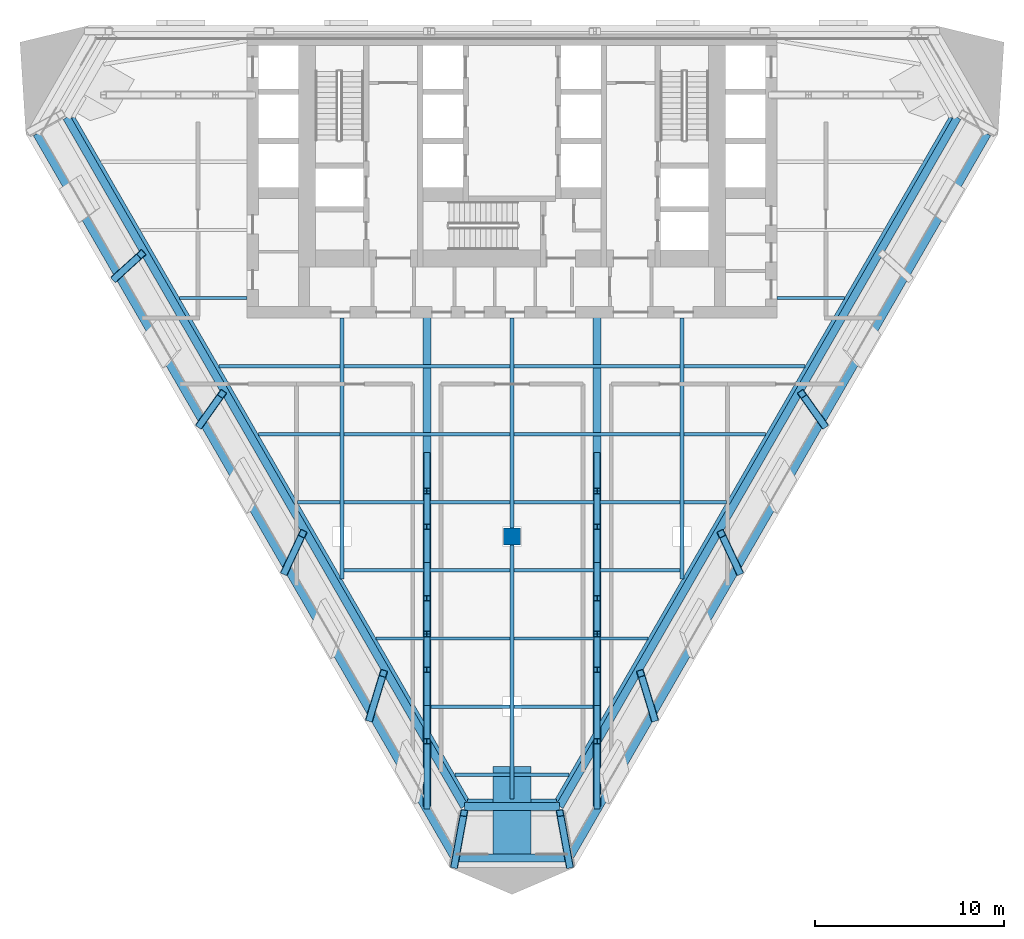
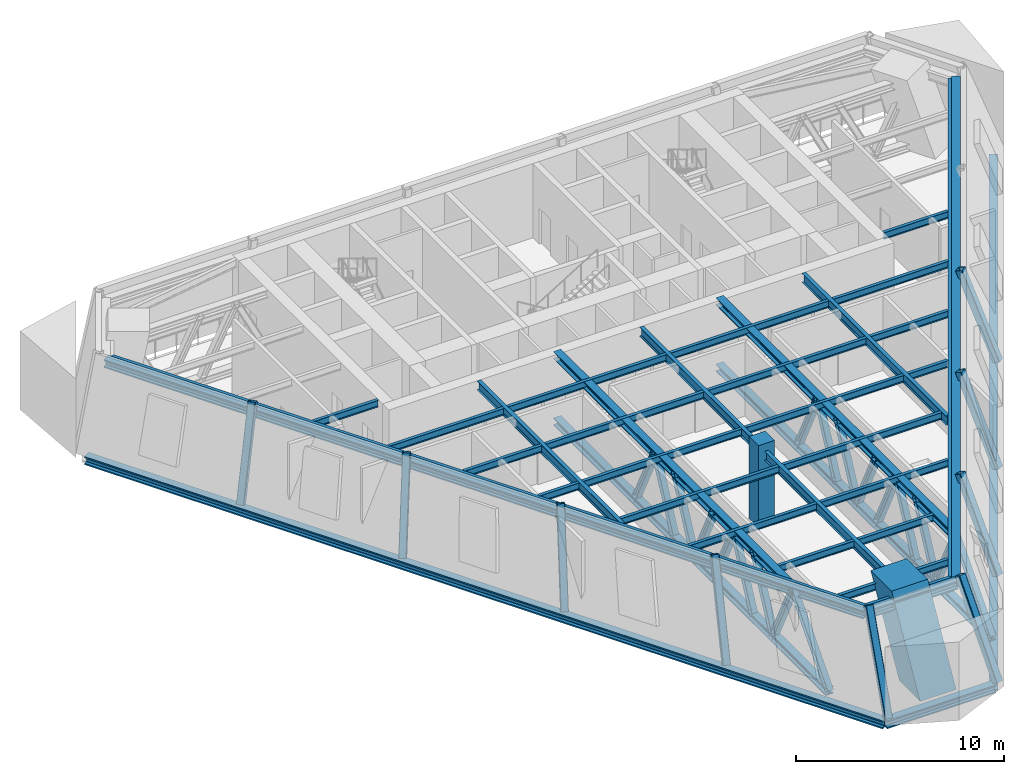
# One storey, part 1 of 9: 40 beams, 28 members, 1 column.
"""IFC4 building model written with IfcOpenShell, lengths in metres."""

from ifc_helpers import new_model, si_unit, direction, frame, origin, origin_2d, place, context, subcontext, project, spatial, rectangle, hollow_rectangle, i_section, extrude, material, material_profile, profile_set, type_object, element, save


model = new_model("IFC4")

# Units and contexts
model_context = context("Model", 3, precision=1e-05, world=origin(), true_north=direction((0.0, 1.0)))
body_context = subcontext(model_context, "Body", "Model", "MODEL_VIEW")
ifc_project = project(units=[si_unit("LENGTHUNIT", "METRE"), si_unit("AREAUNIT", "SQUARE_METRE"), si_unit("VOLUMEUNIT", "CUBIC_METRE"), si_unit("PLANEANGLEUNIT", "RADIAN"), si_unit("MASSUNIT", "GRAM", prefix="KILO")], contexts=[model_context])

# Site, building, storey
site_placement = place(None, origin())
site = spatial("IfcSite", under=ifc_project, at=site_placement, CompositionType="ELEMENT")
building_placement = place(site_placement, origin())
building = spatial("IfcBuilding", under=site, at=building_placement, Name="Aloe Facet Convention Tower", CompositionType="ELEMENT")
storey_placement = place(building_placement, frame((0.0, 0.0, 77.0)))
storey = spatial("IfcBuildingStorey", under=building, at=storey_placement, Name="L18", CompositionType="ELEMENT", Elevation=77.0)

# Column
ifc_material_1 = material(Name="Concrete C70/85", Category="concrete")
ifc_material_profile_1 = material_profile(ifc_material_1, rectangle(XDim=0.89990234375, YDim=0.89990234375, at=origin_2d()), Name="SF-GC-Z2")
ifc_profile_set_1 = profile_set([ifc_material_profile_1], Name="Concrete C70/85")
column_type = type_object("IfcColumnType", Name="SF-GC-Z2", PredefinedType="COLUMN", material=ifc_profile_set_1)
column_placement = place(storey_placement, frame((80.0, 108.0, 0.0), z_axis=(0.0, 0.0, 1.0), x_axis=(1.0, 0.0, 0.0)))
element("IfcColumn", 1, at=column_placement, inside=storey, type_object=column_type, Name="Gravity column GC-Z2-9D", PredefinedType="COLUMN", context=body_context, shape_type="SweptSolid", body=[
    extrude(rectangle(XDim=0.89990234375, YDim=0.89990234375, at=origin_2d()), origin(), (0.0, 0.0, 1.0), 4.800048828125),
])

# Beams
ifc_material_2 = material(Name="Steel S355", Category="steel")
ifc_material_profile_2 = material_profile(ifc_material_2, i_section(OverallWidth=0.177734375, OverallDepth=0.402587890625, WebThickness=0.0078125, FlangeThickness=0.010986328125, FilletRadius=0.01025390625, at=origin_2d()), Name="UB 406x178x54")
ifc_profile_set_2 = profile_set([ifc_material_profile_2], Name="Steel S355")
beam_type_1 = type_object("IfcBeamType", Name="SF-B-UB406x178x54", PredefinedType="BEAM", material=ifc_profile_set_2)
beam_1_placement = place(storey_placement, frame((62.429931640625, 120.60009765625, 4.148681640625), z_axis=(1.0, 0.0, 0.0), x_axis=(0.0, 1.0, 0.0)))
element("IfcBeam", 2, at=beam_1_placement, inside=storey, type_object=beam_type_1, Name="Floor beam FB-Z2A-015", PredefinedType="BEAM", context=body_context, shape_type="SweptSolid", body=[
    extrude(i_section(OverallWidth=0.177734375, OverallDepth=0.402587890625, WebThickness=0.0078125, FlangeThickness=0.010986328125, FilletRadius=0.01025390625, at=origin_2d()), origin(), (0.0, 0.0, 1.0), 3.570068359375),
])
beam_2_placement = place(storey_placement, frame((64.50830078125, 117.0, 4.148681640625), z_axis=(1.0, 0.0, 0.0), x_axis=(0.0, 1.0, 0.0)))
element("IfcBeam", 3, at=beam_2_placement, inside=storey, type_object=beam_type_1, Name="Floor beam FB-Z2A-016", PredefinedType="BEAM", context=body_context, shape_type="SweptSolid", body=[
    extrude(i_section(OverallWidth=0.177734375, OverallDepth=0.402587890625, WebThickness=0.0078125, FlangeThickness=0.010986328125, FilletRadius=0.01025390625, at=origin_2d()), origin(), (0.0, 0.0, 1.0), 6.38623046875),
])
beam_3_placement = place(storey_placement, frame((66.5869140625, 113.39990234375, 4.148681640625), z_axis=(1.0, 0.0, 0.0), x_axis=(0.0, 1.0, 0.0)))
element("IfcBeam", 4, at=beam_3_placement, inside=storey, type_object=beam_type_1, Name="Floor beam FB-Z2A-017", PredefinedType="BEAM", context=body_context, shape_type="SweptSolid", body=[
    extrude(i_section(OverallWidth=0.177734375, OverallDepth=0.402587890625, WebThickness=0.0078125, FlangeThickness=0.010986328125, FilletRadius=0.01025390625, at=origin_2d()), origin(), (0.0, 0.0, 1.0), 4.3076171875),
])
beam_4_placement = place(storey_placement, frame((68.665283203125, 109.800048828125, 4.148681640625), z_axis=(1.0, 0.0, 0.0), x_axis=(0.0, 1.0, 0.0)))
element("IfcBeam", 5, at=beam_4_placement, inside=storey, type_object=beam_type_1, Name="Floor beam FB-Z2A-018", PredefinedType="BEAM", context=body_context, shape_type="SweptSolid", body=[
    extrude(i_section(OverallWidth=0.177734375, OverallDepth=0.402587890625, WebThickness=0.0078125, FlangeThickness=0.010986328125, FilletRadius=0.01025390625, at=origin_2d()), origin(), (0.0, 0.0, 1.0), 2.229248046875),
])
for number, where, z_axis, x_axis, name in (
    (6, (71.10546875, 106.199951171875, 4.148681640625), (1.0, 0.0, 0.0), (0.0, 1.0, 0.0), "Floor beam FB-Z2A-019"),
    (7, (71.10546875, 109.800048828125, 4.148681640625), (1.0, 0.0, 0.0), (0.0, 1.0, 0.0), "Floor beam FB-Z2A-020"),
    (8, (71.10546875, 113.39990234375, 4.148681640625), (1.0, 0.0, 0.0), (0.0, 1.0, 0.0), "Floor beam FB-Z2A-021"),
    (9, (71.10546875, 117.0, 4.148681640625), (1.0, 0.0, 0.0), (0.0, 1.0, 0.0), "Floor beam FB-Z2A-022"),
):
    element("IfcBeam", number, at=place(storey_placement, frame(where, z_axis=z_axis, x_axis=x_axis)), inside=storey, type_object=beam_type_1, Name=name, PredefinedType="BEAM", context=body_context, shape_type="SweptSolid", body=[
        extrude(i_section(OverallWidth=0.177734375, OverallDepth=0.402587890625, WebThickness=0.0078125, FlangeThickness=0.010986328125, FilletRadius=0.01025390625, at=origin_2d()), origin(), (0.0, 0.0, 1.0), 8.7890625),
    ])
beam_5_placement = place(storey_placement, frame((72.822265625, 102.60009765625, 4.148681640625), z_axis=(1.0, 0.0, 0.0), x_axis=(0.0, 1.0, 0.0)))
element("IfcBeam", 10, at=beam_5_placement, inside=storey, type_object=beam_type_1, Name="Floor beam FB-Z2A-023", PredefinedType="BEAM", context=body_context, shape_type="SweptSolid", body=[
    extrude(i_section(OverallWidth=0.177734375, OverallDepth=0.402587890625, WebThickness=0.0078125, FlangeThickness=0.010986328125, FilletRadius=0.01025390625, at=origin_2d()), origin(), (0.0, 0.0, 1.0), 7.072265625),
])
beam_6_placement = place(storey_placement, frame((75.7099609375, 99.0, 4.148681640625), z_axis=(1.0, 0.0, 0.0), x_axis=(0.0, 1.0, 0.0)))
element("IfcBeam", 11, at=beam_6_placement, inside=storey, type_object=beam_type_1, Name="Floor beam FB-Z2A-024", PredefinedType="BEAM", context=body_context, shape_type="SweptSolid", body=[
    extrude(i_section(OverallWidth=0.177734375, OverallDepth=0.402587890625, WebThickness=0.0078125, FlangeThickness=0.010986328125, FilletRadius=0.01025390625, at=origin_2d()), origin(), (0.0, 0.0, 1.0), 4.1845703125),
])
for number, where, z_axis, x_axis, name in (
    (12, (76.97900390625, 95.39990234375, 4.148681640625), (1.0, 0.0, 0.0), (0.0, 1.0, 0.0), "Floor beam FB-Z2A-025"),
    (13, (80.10546875, 95.39990234375, 4.148681640625), (1.0, 0.0, 0.0), (0.0, 1.0, 0.0), "Floor beam FB-Z2A-026"),
):
    element("IfcBeam", number, at=place(storey_placement, frame(where, z_axis=z_axis, x_axis=x_axis)), inside=storey, type_object=beam_type_1, Name=name, PredefinedType="BEAM", context=body_context, shape_type="SweptSolid", body=[
        extrude(i_section(OverallWidth=0.177734375, OverallDepth=0.402587890625, WebThickness=0.0078125, FlangeThickness=0.010986328125, FilletRadius=0.01025390625, at=origin_2d()), origin(), (0.0, 0.0, 1.0), 2.91552734375),
    ])
beam_7_placement = place(storey_placement, frame((80.10546875, 99.0, 4.148681640625), z_axis=(1.0, 0.0, 0.0), x_axis=(0.0, 1.0, 0.0)))
element("IfcBeam", 14, at=beam_7_placement, inside=storey, type_object=beam_type_1, Name="Floor beam FB-Z2A-027", PredefinedType="BEAM", context=body_context, shape_type="SweptSolid", body=[
    extrude(i_section(OverallWidth=0.177734375, OverallDepth=0.402587890625, WebThickness=0.0078125, FlangeThickness=0.010986328125, FilletRadius=0.01025390625, at=origin_2d()), origin(), (0.0, 0.0, 1.0), 4.1845703125),
])
beam_8_placement = place(storey_placement, frame((80.10546875, 102.60009765625, 4.148681640625), z_axis=(1.0, 0.0, 0.0), x_axis=(0.0, 1.0, 0.0)))
element("IfcBeam", 15, at=beam_8_placement, inside=storey, type_object=beam_type_1, Name="Floor beam FB-Z2A-028", PredefinedType="BEAM", context=body_context, shape_type="SweptSolid", body=[
    extrude(i_section(OverallWidth=0.177734375, OverallDepth=0.402587890625, WebThickness=0.0078125, FlangeThickness=0.010986328125, FilletRadius=0.01025390625, at=origin_2d()), origin(), (0.0, 0.0, 1.0), 7.072265625),
])
for number, where, z_axis, x_axis, name in (
    (16, (80.10546875, 106.199951171875, 4.148681640625), (1.0, 0.0, 0.0), (0.0, 1.0, 0.0), "Floor beam FB-Z2A-029"),
    (17, (80.10546875, 109.800048828125, 4.148681640625), (1.0, 0.0, 0.0), (0.0, 1.0, 0.0), "Floor beam FB-Z2A-030"),
    (18, (80.10546875, 113.39990234375, 4.148681640625), (1.0, 0.0, 0.0), (0.0, 1.0, 0.0), "Floor beam FB-Z2A-031"),
    (19, (80.10546875, 117.0, 4.148681640625), (1.0, 0.0, 0.0), (0.0, 1.0, 0.0), "Floor beam FB-Z2A-032"),
):
    element("IfcBeam", number, at=place(storey_placement, frame(where, z_axis=z_axis, x_axis=x_axis)), inside=storey, type_object=beam_type_1, Name=name, PredefinedType="BEAM", context=body_context, shape_type="SweptSolid", body=[
        extrude(i_section(OverallWidth=0.177734375, OverallDepth=0.402587890625, WebThickness=0.0078125, FlangeThickness=0.010986328125, FilletRadius=0.01025390625, at=origin_2d()), origin(), (0.0, 0.0, 1.0), 8.7890625),
    ])
beam_9_placement = place(storey_placement, frame((89.10546875, 109.800048828125, 4.148681640625), z_axis=(1.0, 0.0, 0.0), x_axis=(0.0, 1.0, 0.0)))
element("IfcBeam", 20, at=beam_9_placement, inside=storey, type_object=beam_type_1, Name="Floor beam FB-Z2A-033", PredefinedType="BEAM", context=body_context, shape_type="SweptSolid", body=[
    extrude(i_section(OverallWidth=0.177734375, OverallDepth=0.402587890625, WebThickness=0.0078125, FlangeThickness=0.010986328125, FilletRadius=0.01025390625, at=origin_2d()), origin(), (0.0, 0.0, 1.0), 2.229248046875),
])
beam_10_placement = place(storey_placement, frame((89.10546875, 113.39990234375, 4.148681640625), z_axis=(1.0, 0.0, 0.0), x_axis=(0.0, 1.0, 0.0)))
element("IfcBeam", 21, at=beam_10_placement, inside=storey, type_object=beam_type_1, Name="Floor beam FB-Z2A-034", PredefinedType="BEAM", context=body_context, shape_type="SweptSolid", body=[
    extrude(i_section(OverallWidth=0.177734375, OverallDepth=0.402587890625, WebThickness=0.0078125, FlangeThickness=0.010986328125, FilletRadius=0.01025390625, at=origin_2d()), origin(), (0.0, 0.0, 1.0), 4.3076171875),
])
beam_11_placement = place(storey_placement, frame((89.10546875, 117.0, 4.148681640625), z_axis=(1.0, 0.0, 0.0), x_axis=(0.0, 1.0, 0.0)))
element("IfcBeam", 22, at=beam_11_placement, inside=storey, type_object=beam_type_1, Name="Floor beam FB-Z2A-035", PredefinedType="BEAM", context=body_context, shape_type="SweptSolid", body=[
    extrude(i_section(OverallWidth=0.177734375, OverallDepth=0.402587890625, WebThickness=0.0078125, FlangeThickness=0.010986328125, FilletRadius=0.01025390625, at=origin_2d()), origin(), (0.0, 0.0, 1.0), 6.38623046875),
])
beam_12_placement = place(storey_placement, frame((94.0, 120.60009765625, 4.148681640625), z_axis=(1.0, 0.0, 0.0), x_axis=(0.0, 1.0, 0.0)))
element("IfcBeam", 23, at=beam_12_placement, inside=storey, type_object=beam_type_1, Name="Floor beam FB-Z2A-036", PredefinedType="BEAM", context=body_context, shape_type="SweptSolid", body=[
    extrude(i_section(OverallWidth=0.177734375, OverallDepth=0.402587890625, WebThickness=0.0078125, FlangeThickness=0.010986328125, FilletRadius=0.01025390625, at=origin_2d()), origin(), (0.0, 0.0, 1.0), 3.570068359375),
])
ifc_material_3 = material(Name="Steel S355", Category="steel")
ifc_material_profile_3 = material_profile(ifc_material_3, i_section(OverallWidth=0.18994140625, OverallDepth=0.453369140625, WebThickness=0.008544921875, FlangeThickness=0.0126953125, FilletRadius=0.01025390625, at=origin_2d()), Name="UB 457x191x67")
ifc_profile_set_3 = profile_set([ifc_material_profile_3], Name="Steel S355")
beam_type_2 = type_object("IfcBeamType", Name="SF-B-UB457x191x67", PredefinedType="BEAM", material=ifc_profile_set_3)
beam_13_placement = place(storey_placement, frame((77.658935546875, 94.01513671875, 4.123291015625), z_axis=(-0.499997308433, 0.866026957756, 0.0), x_axis=(-0.866026957756, -0.499997308433, 0.0)))
element("IfcBeam", 24, at=beam_13_placement, inside=storey, type_object=beam_type_2, Name="Floor beam FB-Z2A-003", PredefinedType="BEAM", context=body_context, shape_type="SweptSolid", body=[
    extrude(i_section(OverallWidth=0.18994140625, OverallDepth=0.453369140625, WebThickness=0.008544921875, FlangeThickness=0.0126953125, FilletRadius=0.01025390625, at=origin_2d()), origin(), (0.0, 0.0, 1.0), 41.725341796875),
])
for number, where, z_axis, x_axis, name in (
    (25, (79.0, 94.01513671875, 4.123291015625), (-1.0, 0.0, 0.0), (0.0, -1.0, 0.0), "Floor beam FB-Z2A-004"),
    (26, (82.341064453125, 94.01513671875, 4.123291015625), (-1.0, 0.0, 0.0), (0.0, -1.0, 0.0), "Floor beam FB-Z2A-005"),
):
    element("IfcBeam", number, at=place(storey_placement, frame(where, z_axis=z_axis, x_axis=x_axis)), inside=storey, type_object=beam_type_2, Name=name, PredefinedType="BEAM", context=body_context, shape_type="SweptSolid", body=[
        extrude(i_section(OverallWidth=0.18994140625, OverallDepth=0.453369140625, WebThickness=0.008544921875, FlangeThickness=0.0126953125, FilletRadius=0.01025390625, at=origin_2d()), origin(), (0.0, 0.0, 1.0), 1.341064453125),
    ])
beam_14_placement = place(storey_placement, frame((103.20361328125, 130.150390625, 4.123291015625), z_axis=(-0.499997308433, -0.866026957756, 0.0), x_axis=(0.866026957756, -0.499997308433, 0.0)))
element("IfcBeam", 27, at=beam_14_placement, inside=storey, type_object=beam_type_2, Name="Floor beam FB-Z2A-008", PredefinedType="BEAM", context=body_context, shape_type="SweptSolid", body=[
    extrude(i_section(OverallWidth=0.18994140625, OverallDepth=0.453369140625, WebThickness=0.008544921875, FlangeThickness=0.0126953125, FilletRadius=0.01025390625, at=origin_2d()), origin(), (0.0, 0.0, 1.0), 41.725341796875),
])
ifc_material_4 = material(Name="Steel S355", Category="steel")
ifc_material_profile_4 = material_profile(ifc_material_4, i_section(OverallWidth=0.210693359375, OverallDepth=0.53955078125, WebThickness=0.01171875, FlangeThickness=0.018798828125, FilletRadius=0.0126953125, at=origin_2d()), Name="UB 533x210x109")
ifc_profile_set_4 = profile_set([ifc_material_profile_4], Name="Steel S355")
beam_type_3 = type_object("IfcBeamType", Name="SF-B-UB533x210x109", PredefinedType="BEAM", material=ifc_profile_set_4)
beam_15_placement = place(storey_placement, frame((71.0, 119.550048828125, 4.080078125), z_axis=(0.0, -1.0, 0.0), x_axis=(1.0, 0.0, 0.0)))
element("IfcBeam", 28, at=beam_15_placement, inside=storey, type_object=beam_type_3, Name="Floor beam FB-Z2A-009", PredefinedType="BEAM", context=body_context, shape_type="SweptSolid", body=[
    extrude(i_section(OverallWidth=0.210693359375, OverallDepth=0.53955078125, WebThickness=0.01171875, FlangeThickness=0.018798828125, FilletRadius=0.0126953125, at=origin_2d()), origin(), (0.0, 0.0, 1.0), 13.80126953125),
])
beam_16_placement = place(storey_placement, frame((80.0, 107.550048828125, 4.080078125), z_axis=(0.0, -1.0, 0.0), x_axis=(1.0, 0.0, 0.0)))
element("IfcBeam", 29, at=beam_16_placement, inside=storey, type_object=beam_type_3, Name="Floor beam FB-Z2A-010", PredefinedType="BEAM", context=body_context, shape_type="SweptSolid", body=[
    extrude(i_section(OverallWidth=0.210693359375, OverallDepth=0.53955078125, WebThickness=0.01171875, FlangeThickness=0.018798828125, FilletRadius=0.0126953125, at=origin_2d()), origin(), (0.0, 0.0, 1.0), 13.429931640625),
])
beam_17_placement = place(storey_placement, frame((80.0, 119.550048828125, 4.080078125), z_axis=(0.0, -1.0, 0.0), x_axis=(1.0, 0.0, 0.0)))
element("IfcBeam", 30, at=beam_17_placement, inside=storey, type_object=beam_type_3, Name="Floor beam FB-Z2A-011", PredefinedType="BEAM", context=body_context, shape_type="SweptSolid", body=[
    extrude(i_section(OverallWidth=0.210693359375, OverallDepth=0.53955078125, WebThickness=0.01171875, FlangeThickness=0.018798828125, FilletRadius=0.0126953125, at=origin_2d()), origin(), (0.0, 0.0, 1.0), 11.10009765625),
])
beam_18_placement = place(storey_placement, frame((89.0, 119.550048828125, 4.080078125), z_axis=(0.0, -1.0, 0.0), x_axis=(1.0, 0.0, 0.0)))
element("IfcBeam", 31, at=beam_18_placement, inside=storey, type_object=beam_type_3, Name="Floor beam FB-Z2A-012", PredefinedType="BEAM", context=body_context, shape_type="SweptSolid", body=[
    extrude(i_section(OverallWidth=0.210693359375, OverallDepth=0.53955078125, WebThickness=0.01171875, FlangeThickness=0.018798828125, FilletRadius=0.0126953125, at=origin_2d()), origin(), (0.0, 0.0, 1.0), 13.80126953125),
])
ifc_material_5 = material(Name="Steel S355", Category="steel")
ifc_material_profile_5 = material_profile(ifc_material_5, i_section(OverallWidth=0.424072265625, OverallDepth=0.474609375, WebThickness=0.047607421875, FlangeThickness=0.076904296875, FilletRadius=0.01513671875, at=origin_2d()), Name="UC 356x406x634")
ifc_profile_set_5 = profile_set([ifc_material_profile_5], Name="Steel S355")
beam_type_4 = type_object("IfcBeamType", Name="STW-BC-L18", PredefinedType="BEAM", material=ifc_profile_set_5)
beam_19_placement = place(storey_placement, frame((105.12255859375, 129.2841796875, -0.4873046875), z_axis=(-0.500000902525, -0.866024882711, 0.0), x_axis=(0.866024882711, -0.500000902525, 0.0)))
element("IfcBeam", 32, at=beam_19_placement, inside=storey, type_object=beam_type_4, Name="Belt chord BC-L18-L-02", PredefinedType="BEAM", context=body_context, shape_type="SweptSolid", body=[
    extrude(i_section(OverallWidth=0.424072265625, OverallDepth=0.474609375, WebThickness=0.047607421875, FlangeThickness=0.076904296875, FilletRadius=0.01513671875, at=origin_2d()), origin(), (0.0, 0.0, 1.0), 44.22265625),
])
beam_20_placement = place(storey_placement, frame((83.01123046875, 90.986328125, -0.4873046875), z_axis=(-1.0, 0.0, 0.0), x_axis=(0.0, -1.0, 0.0)))
element("IfcBeam", 33, at=beam_20_placement, inside=storey, type_object=beam_type_4, Name="Belt chord BC-L18-L-03", PredefinedType="BEAM", context=body_context, shape_type="SweptSolid", body=[
    extrude(i_section(OverallWidth=0.424072265625, OverallDepth=0.474609375, WebThickness=0.047607421875, FlangeThickness=0.076904296875, FilletRadius=0.01513671875, at=origin_2d()), origin(), (0.0, 0.0, 1.0), 6.0224609375),
])
beam_21_placement = place(storey_placement, frame((76.98876953125, 90.986328125, -0.4873046875), z_axis=(-0.500000902525, 0.866024882711, 0.0), x_axis=(-0.866024882711, -0.500000902525, 0.0)))
element("IfcBeam", 34, at=beam_21_placement, inside=storey, type_object=beam_type_4, Name="Belt chord BC-L18-L-04", PredefinedType="BEAM", context=body_context, shape_type="SweptSolid", body=[
    extrude(i_section(OverallWidth=0.424072265625, OverallDepth=0.474609375, WebThickness=0.047607421875, FlangeThickness=0.076904296875, FilletRadius=0.01513671875, at=origin_2d()), origin(), (0.0, 0.0, 1.0), 44.22265625),
])
beam_22_placement = place(storey_placement, frame((103.544189453125, 130.150146484375, 4.11279296875), z_axis=(-0.500002284728, -0.866024084692, 0.0), x_axis=(0.866024084692, -0.500002284728, 0.0)))
element("IfcBeam", 35, at=beam_22_placement, inside=storey, type_object=beam_type_4, Name="Belt chord BC-L18-U-02", PredefinedType="BEAM", context=body_context, shape_type="SweptSolid", body=[
    extrude(i_section(OverallWidth=0.424072265625, OverallDepth=0.474609375, WebThickness=0.047607421875, FlangeThickness=0.076904296875, FilletRadius=0.01513671875, at=origin_2d()), origin(), (0.0, 0.0, 1.0), 42.065673828125),
])
beam_23_placement = place(storey_placement, frame((82.51123046875, 93.72021484375, 4.11279296875), z_axis=(-1.0, 0.0, 0.0), x_axis=(0.0, -1.0, 0.0)))
element("IfcBeam", 36, at=beam_23_placement, inside=storey, type_object=beam_type_4, Name="Belt chord BC-L18-U-03", PredefinedType="BEAM", context=body_context, shape_type="SweptSolid", body=[
    extrude(i_section(OverallWidth=0.424072265625, OverallDepth=0.474609375, WebThickness=0.047607421875, FlangeThickness=0.076904296875, FilletRadius=0.01513671875, at=origin_2d()), origin(), (0.0, 0.0, 1.0), 5.0224609375),
])
beam_24_placement = place(storey_placement, frame((77.48876953125, 93.72021484375, 4.11279296875), z_axis=(-0.500002284728, 0.866024084692, 0.0), x_axis=(-0.866024084692, -0.500002284728, 0.0)))
element("IfcBeam", 37, at=beam_24_placement, inside=storey, type_object=beam_type_4, Name="Belt chord BC-L18-U-04", PredefinedType="BEAM", context=body_context, shape_type="SweptSolid", body=[
    extrude(i_section(OverallWidth=0.424072265625, OverallDepth=0.474609375, WebThickness=0.047607421875, FlangeThickness=0.076904296875, FilletRadius=0.01513671875, at=origin_2d()), origin(), (0.0, 0.0, 1.0), 42.065673828125),
])

# Members
ifc_material_6 = material(Name="Steel S355", Category="steel")
ifc_material_profile_6 = material_profile(ifc_material_6, hollow_rectangle(XDim=0.39990234375, YDim=0.39990234375, WallThickness=0.02490234375, InnerFilletRadius=0.02490234375, OuterFilletRadius=0.050048828125, at=origin_2d()), Name="SHS 400x400x25")
ifc_profile_set_6 = profile_set([ifc_material_profile_6], Name="Steel S355")
member_type_1 = type_object("IfcMemberType", Name="STW-BW-L18", PredefinedType="BRACE", material=ifc_profile_set_6)
member_1_placement = place(storey_placement, frame((59.039794921875, 121.674560546875, 0.0), z_axis=(0.26505936473, 0.241127096757, 0.93359587423), x_axis=(-0.67292339919, 0.739712172958, 0.0)))
element("IfcMember", 38, at=member_1_placement, inside=storey, type_object=member_type_1, Name="Belt web BW-L18-F2-02", PredefinedType="BRACE", context=body_context, shape_type="SweptSolid", body=[
    extrude(hollow_rectangle(XDim=0.39990234375, YDim=0.39990234375, WallThickness=0.02490234375, InnerFilletRadius=0.02490234375, OuterFilletRadius=0.050048828125, at=origin_2d()), origin(), (0.0, 0.0, 1.0), 5.141357421875),
])
member_2_placement = place(storey_placement, frame((63.519775390625, 113.9150390625, 0.0), z_axis=(0.220948766707, 0.310710672568, 0.924467695727), x_axis=(-0.814956618932, 0.579521966157, 0.0)))
element("IfcMember", 39, at=member_2_placement, inside=storey, type_object=member_type_1, Name="Belt web BW-L18-F2-03", PredefinedType="BRACE", context=body_context, shape_type="SweptSolid", body=[
    extrude(hollow_rectangle(XDim=0.39990234375, YDim=0.39990234375, WallThickness=0.02490234375, InnerFilletRadius=0.02490234375, OuterFilletRadius=0.050048828125, at=origin_2d()), origin(), (0.0, 0.0, 1.0), 5.192138671875),
])
member_3_placement = place(storey_placement, frame((67.999755859375, 106.155517578125, 0.0), z_axis=(0.176473636671, 0.37644625301, 0.909475274076), x_axis=(-0.905445573448, 0.424462381753, 0.0)))
element("IfcMember", 40, at=member_3_placement, inside=storey, type_object=member_type_1, Name="Belt web BW-L18-F2-04", PredefinedType="BRACE", context=body_context, shape_type="SweptSolid", body=[
    extrude(hollow_rectangle(XDim=0.39990234375, YDim=0.39990234375, WallThickness=0.02490234375, InnerFilletRadius=0.02490234375, OuterFilletRadius=0.050048828125, at=origin_2d()), origin(), (0.0, 0.0, 1.0), 5.27783203125),
])
member_4_placement = place(storey_placement, frame((72.479736328125, 98.39599609375, 0.0), z_axis=(0.132640930578, 0.437371254033, 0.889445203304), x_axis=(-0.95696111289, 0.29021617532, 0.0)))
element("IfcMember", 41, at=member_4_placement, inside=storey, type_object=member_type_1, Name="Belt web BW-L18-F2-05", PredefinedType="BRACE", context=body_context, shape_type="SweptSolid", body=[
    extrude(hollow_rectangle(XDim=0.39990234375, YDim=0.39990234375, WallThickness=0.02490234375, InnerFilletRadius=0.02490234375, OuterFilletRadius=0.050048828125, at=origin_2d()), origin(), (0.0, 0.0, 1.0), 5.396728515625),
])
for number, where, z_axis, x_axis, name in (
    (42, (76.959716796875, 90.63623046875, 0.0), (0.090143601993, 0.492928807966, 0.865387382215), (-0.983686695971, 0.179890200317, 0.0), "Belt web BW-L18-F2-06"),
    (43, (83.040283203125, 90.63623046875, 0.0), (-0.090143601993, 0.492928807966, 0.865387382215), (-0.983686695971, -0.179890200317, 0.0), "Belt web BW-L18-F3-01"),
):
    element("IfcMember", number, at=place(storey_placement, frame(where, z_axis=z_axis, x_axis=x_axis)), inside=storey, type_object=member_type_1, Name=name, PredefinedType="BRACE", context=body_context, shape_type="SweptSolid", body=[
        extrude(hollow_rectangle(XDim=0.39990234375, YDim=0.39990234375, WallThickness=0.02490234375, InnerFilletRadius=0.02490234375, OuterFilletRadius=0.050048828125, at=origin_2d()), origin(), (0.0, 0.0, 1.0), 5.546630859375),
    ])
member_5_placement = place(storey_placement, frame((87.520263671875, 98.39599609375, 0.0), z_axis=(-0.132640930578, 0.437371254033, 0.889445203304), x_axis=(-0.95696111289, -0.29021617532, 0.0)))
element("IfcMember", 44, at=member_5_placement, inside=storey, type_object=member_type_1, Name="Belt web BW-L18-F3-02", PredefinedType="BRACE", context=body_context, shape_type="SweptSolid", body=[
    extrude(hollow_rectangle(XDim=0.39990234375, YDim=0.39990234375, WallThickness=0.02490234375, InnerFilletRadius=0.02490234375, OuterFilletRadius=0.050048828125, at=origin_2d()), origin(), (0.0, 0.0, 1.0), 5.396728515625),
])
member_6_placement = place(storey_placement, frame((92.000244140625, 106.155517578125, 0.0), z_axis=(-0.176473636671, 0.37644625301, 0.909475274076), x_axis=(-0.905445573448, -0.424462381753, 0.0)))
element("IfcMember", 45, at=member_6_placement, inside=storey, type_object=member_type_1, Name="Belt web BW-L18-F3-03", PredefinedType="BRACE", context=body_context, shape_type="SweptSolid", body=[
    extrude(hollow_rectangle(XDim=0.39990234375, YDim=0.39990234375, WallThickness=0.02490234375, InnerFilletRadius=0.02490234375, OuterFilletRadius=0.050048828125, at=origin_2d()), origin(), (0.0, 0.0, 1.0), 5.27783203125),
])
member_7_placement = place(storey_placement, frame((96.480224609375, 113.9150390625, 0.0), z_axis=(-0.220948766707, 0.310710672568, 0.924467695727), x_axis=(-0.814956618932, -0.579521966157, 0.0)))
element("IfcMember", 46, at=member_7_placement, inside=storey, type_object=member_type_1, Name="Belt web BW-L18-F3-04", PredefinedType="BRACE", context=body_context, shape_type="SweptSolid", body=[
    extrude(hollow_rectangle(XDim=0.39990234375, YDim=0.39990234375, WallThickness=0.02490234375, InnerFilletRadius=0.02490234375, OuterFilletRadius=0.050048828125, at=origin_2d()), origin(), (0.0, 0.0, 1.0), 5.192138671875),
])
ifc_material_7 = material(Name="Concrete C80/95", Category="concrete")
ifc_material_profile_7 = material_profile(ifc_material_7, rectangle(XDim=2.0, YDim=2.0, at=origin_2d()), Name="STW-MJ-Z1")
ifc_profile_set_7 = profile_set([ifc_material_profile_7], Name="Concrete C80/95")
member_type_2 = type_object("IfcMemberType", Name="STW-MJ-Z1", PredefinedType="STRUT", material=ifc_profile_set_7)
member_8_placement = place(storey_placement, frame((80.0, 92.086181640625, 0.0), z_axis=(0.0, 0.0, 1.0), x_axis=(1.0, 0.0, 0.0)))
element("IfcMember", 47, at=member_8_placement, inside=storey, type_object=member_type_2, Name="Transfer jog MC-S-L18", PredefinedType="STRUT", context=body_context, shape_type="SweptSolid", body=[
    extrude(rectangle(XDim=2.0, YDim=2.0, at=origin_2d()), origin(), (0.0, 0.49494383415, 0.868924968589), 5.524169921875),
])

# Beams
ifc_material_8 = material(Name="Steel S355", Category="steel")
ifc_material_profile_8 = material_profile(ifc_material_8, i_section(OverallWidth=0.412109375, OverallDepth=0.4365234375, WebThickness=0.035888671875, FlangeThickness=0.048095703125, FilletRadius=0.01513671875, at=origin_2d()), Name="UC 356x406x467")
ifc_profile_set_8 = profile_set([ifc_material_profile_8], Name="Steel S355")
beam_type_5 = type_object("IfcBeamType", Name="STW-OC-L18", PredefinedType="BEAM", material=ifc_profile_set_8)
beam_25_placement = place(storey_placement, frame((75.5, 119.85009765625, 0.248291015625), z_axis=(0.0, -1.0, 0.0), x_axis=(1.0, 0.0, 0.0)))
element("IfcBeam", 48, at=beam_25_placement, inside=storey, type_object=beam_type_5, Name="Outrigger chord OR-L18-S1-B", PredefinedType="BEAM", context=body_context, shape_type="SweptSolid", body=[
    extrude(i_section(OverallWidth=0.412109375, OverallDepth=0.4365234375, WebThickness=0.035888671875, FlangeThickness=0.048095703125, FilletRadius=0.01513671875, at=origin_2d()), origin(), (0.0, 0.0, 1.0), 26.13525390625),
])
beam_26_placement = place(storey_placement, frame((75.5, 119.85009765625, 4.131591796875), z_axis=(0.0, -1.0, 0.0), x_axis=(1.0, 0.0, 0.0)))
element("IfcBeam", 49, at=beam_26_placement, inside=storey, type_object=beam_type_5, Name="Outrigger chord OR-L18-S1-T", PredefinedType="BEAM", context=body_context, shape_type="SweptSolid", body=[
    extrude(i_section(OverallWidth=0.412109375, OverallDepth=0.4365234375, WebThickness=0.035888671875, FlangeThickness=0.048095703125, FilletRadius=0.01513671875, at=origin_2d()), origin(), (0.0, 0.0, 1.0), 22.685302734375),
])
beam_27_placement = place(storey_placement, frame((84.5, 119.85009765625, 0.248291015625), z_axis=(0.0, -1.0, 0.0), x_axis=(1.0, 0.0, 0.0)))
element("IfcBeam", 50, at=beam_27_placement, inside=storey, type_object=beam_type_5, Name="Outrigger chord OR-L18-S2-B", PredefinedType="BEAM", context=body_context, shape_type="SweptSolid", body=[
    extrude(i_section(OverallWidth=0.412109375, OverallDepth=0.4365234375, WebThickness=0.035888671875, FlangeThickness=0.048095703125, FilletRadius=0.01513671875, at=origin_2d()), origin(), (0.0, 0.0, 1.0), 26.13525390625),
])
beam_28_placement = place(storey_placement, frame((84.5, 119.85009765625, 4.131591796875), z_axis=(0.0, -1.0, 0.0), x_axis=(1.0, 0.0, 0.0)))
element("IfcBeam", 51, at=beam_28_placement, inside=storey, type_object=beam_type_5, Name="Outrigger chord OR-L18-S2-T", PredefinedType="BEAM", context=body_context, shape_type="SweptSolid", body=[
    extrude(i_section(OverallWidth=0.412109375, OverallDepth=0.4365234375, WebThickness=0.035888671875, FlangeThickness=0.048095703125, FilletRadius=0.01513671875, at=origin_2d()), origin(), (0.0, 0.0, 1.0), 22.685302734375),
])

# Members
ifc_material_9 = material(Name="Steel S355", Category="steel")
ifc_material_profile_9 = material_profile(ifc_material_9, i_section(OverallWidth=0.314453125, OverallDepth=0.33984375, WebThickness=0.01904296875, FlangeThickness=0.031494140625, FilletRadius=0.01513671875, at=origin_2d()), Name="UC 305x305x198")
ifc_profile_set_9 = profile_set([ifc_material_profile_9], Name="Steel S355")
member_type_3 = type_object("IfcMemberType", Name="STW-OD-L18", PredefinedType="BRACE", material=ifc_profile_set_9)
for number, where, z_axis, x_axis, name in (
    (52, (75.5, 112.288330078125, 0.248291015625), (0.0, -0.43773747783, 0.899102830884), (1.0, 0.0, 0.0), "Outrigger diagonal OR-L18-S1-D01"),
    (53, (75.5, 110.397705078125, 4.131591796875), (0.0, -0.437691781299, -0.899125077274), (1.0, 0.0, 0.0), "Outrigger diagonal OR-L18-S1-D02"),
    (54, (75.5, 108.50732421875, 4.131591796875), (0.0, -0.437691781299, -0.899125077274), (1.0, 0.0, 0.0), "Outrigger diagonal OR-L18-S1-D03"),
    (55, (75.5, 106.616943359375, 0.248291015625), (0.0, -0.437691781299, 0.899125077274), (1.0, 0.0, 0.0), "Outrigger diagonal OR-L18-S1-D04"),
    (56, (75.5, 104.7265625, 0.248291015625), (0.0, -0.437691781299, 0.899125077274), (1.0, 0.0, 0.0), "Outrigger diagonal OR-L18-S1-D05"),
    (57, (75.5, 102.836181640625, 4.131591796875), (0.0, -0.43773747783, -0.899102830884), (1.0, 0.0, 0.0), "Outrigger diagonal OR-L18-S1-D06"),
    (58, (75.5, 100.945556640625, 4.131591796875), (0.0, -0.437691781299, -0.899125077274), (1.0, 0.0, 0.0), "Outrigger diagonal OR-L18-S1-D07"),
    (59, (75.5, 99.05517578125, 0.248291015625), (0.0, -0.437691781299, 0.899125077274), (1.0, 0.0, 0.0), "Outrigger diagonal OR-L18-S1-D08"),
):
    element("IfcMember", number, at=place(storey_placement, frame(where, z_axis=z_axis, x_axis=x_axis)), inside=storey, type_object=member_type_3, Name=name, PredefinedType="BRACE", context=body_context, shape_type="SweptSolid", body=[
        extrude(i_section(OverallWidth=0.314453125, OverallDepth=0.33984375, WebThickness=0.01904296875, FlangeThickness=0.031494140625, FilletRadius=0.01513671875, at=origin_2d()), origin(), (0.0, 0.0, 1.0), 4.319091796875),
    ])
member_9_placement = place(storey_placement, frame((75.5, 97.164794921875, 4.131591796875), z_axis=(0.0, -0.664162523407, -0.747588217204), x_axis=(1.0, 0.0, 0.0)))
element("IfcMember", 60, at=member_9_placement, inside=storey, type_object=member_type_3, Name="Outrigger diagonal OR-L18-S1-D09", PredefinedType="BRACE", context=body_context, shape_type="SweptSolid", body=[
    extrude(i_section(OverallWidth=0.314453125, OverallDepth=0.33984375, WebThickness=0.01904296875, FlangeThickness=0.031494140625, FilletRadius=0.01513671875, at=origin_2d()), origin(), (0.0, 0.0, 1.0), 5.1943359375),
])
for number, where, z_axis, x_axis, name in (
    (61, (84.5, 112.288330078125, 0.248291015625), (0.0, -0.43773747783, 0.899102830884), (1.0, 0.0, 0.0), "Outrigger diagonal OR-L18-S2-D01"),
    (62, (84.5, 110.397705078125, 4.131591796875), (0.0, -0.437691781299, -0.899125077274), (1.0, 0.0, 0.0), "Outrigger diagonal OR-L18-S2-D02"),
    (63, (84.5, 108.50732421875, 4.131591796875), (0.0, -0.437691781299, -0.899125077274), (1.0, 0.0, 0.0), "Outrigger diagonal OR-L18-S2-D03"),
    (64, (84.5, 106.616943359375, 0.248291015625), (0.0, -0.437691781299, 0.899125077274), (1.0, 0.0, 0.0), "Outrigger diagonal OR-L18-S2-D04"),
    (65, (84.5, 104.7265625, 0.248291015625), (0.0, -0.437691781299, 0.899125077274), (1.0, 0.0, 0.0), "Outrigger diagonal OR-L18-S2-D05"),
    (66, (84.5, 102.836181640625, 4.131591796875), (0.0, -0.43773747783, -0.899102830884), (1.0, 0.0, 0.0), "Outrigger diagonal OR-L18-S2-D06"),
    (67, (84.5, 100.945556640625, 4.131591796875), (0.0, -0.437691781299, -0.899125077274), (1.0, 0.0, 0.0), "Outrigger diagonal OR-L18-S2-D07"),
    (68, (84.5, 99.05517578125, 0.248291015625), (0.0, -0.437691781299, 0.899125077274), (1.0, 0.0, 0.0), "Outrigger diagonal OR-L18-S2-D08"),
):
    element("IfcMember", number, at=place(storey_placement, frame(where, z_axis=z_axis, x_axis=x_axis)), inside=storey, type_object=member_type_3, Name=name, PredefinedType="BRACE", context=body_context, shape_type="SweptSolid", body=[
        extrude(i_section(OverallWidth=0.314453125, OverallDepth=0.33984375, WebThickness=0.01904296875, FlangeThickness=0.031494140625, FilletRadius=0.01513671875, at=origin_2d()), origin(), (0.0, 0.0, 1.0), 4.319091796875),
    ])
member_10_placement = place(storey_placement, frame((84.5, 97.164794921875, 4.131591796875), z_axis=(0.0, -0.664162523407, -0.747588217204), x_axis=(1.0, 0.0, 0.0)))
element("IfcMember", 69, at=member_10_placement, inside=storey, type_object=member_type_3, Name="Outrigger diagonal OR-L18-S2-D09", PredefinedType="BRACE", context=body_context, shape_type="SweptSolid", body=[
    extrude(i_section(OverallWidth=0.314453125, OverallDepth=0.33984375, WebThickness=0.01904296875, FlangeThickness=0.031494140625, FilletRadius=0.01513671875, at=origin_2d()), origin(), (0.0, 0.0, 1.0), 5.1943359375),
])

save(model, "model.ifc")
